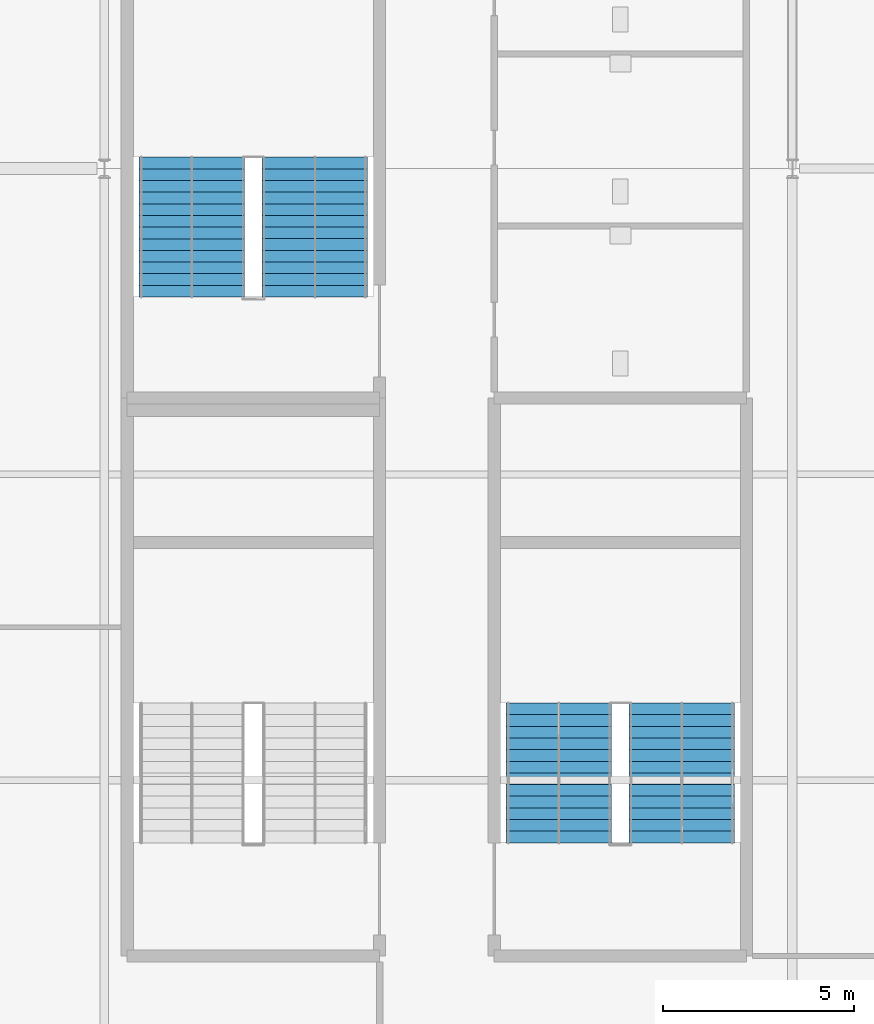
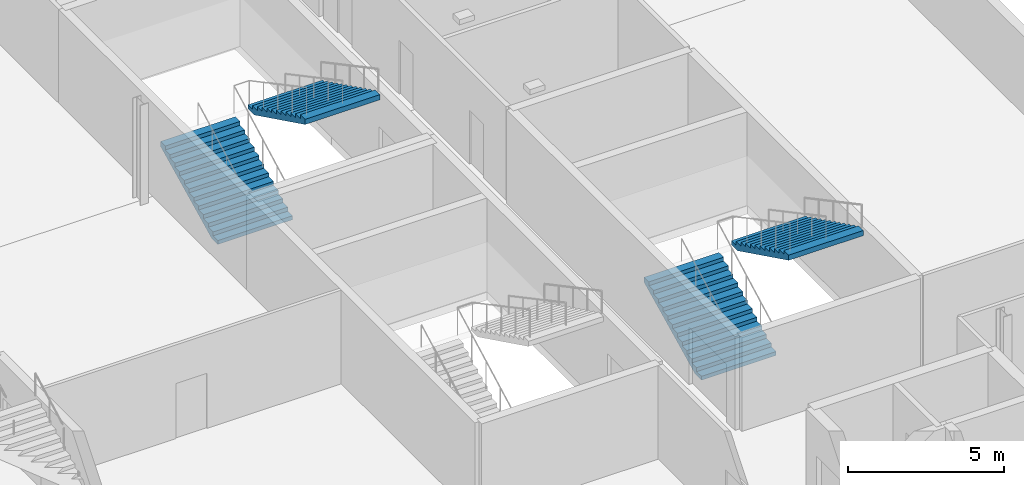
# One storey, part 85 of 96: 4 stair flights, 2 elements without a shape of their own.
"""IFC4 building model written with IfcOpenShell, lengths in metres."""

from ifc_helpers import new_model, si_unit, direction, frame, origin, place, context, subcontext, project, spatial, polygons, material, type_object, element, aggregate, save


model = new_model("IFC4")

# Units and contexts
model_context = context("Model", 3, precision=1e-05, world=origin(), true_north=direction((0.0, 1.0)))
body_context = subcontext(model_context, "Body", "Model", "MODEL_VIEW")
ifc_project = project(units=[si_unit("LENGTHUNIT", "METRE"), si_unit("AREAUNIT", "SQUARE_METRE"), si_unit("VOLUMEUNIT", "CUBIC_METRE"), si_unit("PLANEANGLEUNIT", "RADIAN"), si_unit("MASSUNIT", "GRAM", prefix="KILO")], contexts=[model_context])

# Site, building, storey
site_placement = place(None, origin())
site = spatial("IfcSite", under=ifc_project, at=site_placement, CompositionType="ELEMENT")
building_placement = place(site_placement, origin())
building = spatial("IfcBuilding", under=site, at=building_placement, Name="Kisiwana Market Hall", CompositionType="ELEMENT")
storey_placement = place(building_placement, frame((0.0, 0.0, 25.5)))
storey = spatial("IfcBuildingStorey", under=building, at=storey_placement, Name="L05", CompositionType="ELEMENT", Elevation=25.5)

# Stair, stair flights
ifc_material_1 = material(Name="Concrete C32/40", Category="concrete")
stair_type = type_object("IfcStairType", Name="ST-ESC-3900", PredefinedType="TWO_STRAIGHT_RUN_STAIR", material=ifc_material_1)
stair_1_placement = place(storey_placement, origin())
stair_1 = element("IfcStair", 1, at=stair_1_placement, inside=storey, type_object=stair_type, Name="Escape stair ST-E3-L05", PredefinedType="TWO_STRAIGHT_RUN_STAIR")
ifc_material_2 = material(Name="Concrete C32/40", Category="concrete")
stair_flight_type = type_object("IfcStairFlightType", Name="SF-ESC-3900", PredefinedType="STRAIGHT", material=ifc_material_2)
stair_flight_1_placement = place(storey_placement, frame((182.889892578125, 42.360107421875, 0.0), z_axis=(0.0, 0.0, 1.0), x_axis=(0.0, 1.0, 0.0)))
stair_flight_1 = element("IfcStairFlight", 2, at=stair_flight_1_placement, type_object=stair_flight_type, Name="ST-E3-L05 flight 1", NumberOfRisers=13, NumberOfTreads=12, PredefinedType="STRAIGHT", RiserHeight=0.15, TreadLength=0.305, context=body_context, shape_type="Tessellation", body=[
    polygons([(0.0, -1.380127, 0.0), (0.0, -0.690125, 0.0), (0.0, -0.000122, 0.0), (0.0, 0.68988, 0.0), (0.0, 1.379883, 0.0), (0.0, -1.380127, 0.149902), (0.0, -0.690125, 0.149902), (0.0, -0.000122, 0.149902), (0.0, 0.68988, 0.149902), (0.0, 1.379883, 0.149902), (0.304932, -1.380127, 0.149902), (0.304932, -0.690125, 0.149902), (0.304932, -0.000122, 0.149902), (0.304932, 0.68988, 0.149902), (0.304932, 1.379883, 0.149902), (0.304932, -1.380127, 0.300049), (0.304932, -0.690125, 0.300049), (0.304932, -0.000122, 0.300049), (0.304932, 0.68988, 0.300049), (0.304932, 1.379883, 0.300049), (0.610107, -1.380127, 0.300049), (0.610107, -0.690125, 0.300049), (0.610107, -0.000122, 0.300049), (0.610107, 0.68988, 0.300049), (0.610107, 1.379883, 0.300049), (0.610107, -1.380127, 0.449951), (0.610107, -0.690125, 0.449951), (0.610107, -0.000122, 0.449951), (0.610107, 0.68988, 0.449951), (0.610107, 1.379883, 0.449951), (0.915039, -1.380127, 0.449951), (0.915039, -0.690125, 0.449951), (0.915039, -0.000122, 0.449951), (0.915039, 0.68988, 0.449951), (0.915039, 1.379883, 0.449951), (0.915039, -1.380127, 0.600098), (0.915039, -0.690125, 0.600098), (0.915039, -0.000122, 0.600098), (0.915039, 0.68988, 0.600098), (0.915039, 1.379883, 0.600098), (1.219971, -1.380127, 0.600098), (1.219971, -0.690125, 0.600098), (1.219971, -0.000122, 0.600098), (1.219971, 0.68988, 0.600098), (1.219971, 1.379883, 0.600098), (1.219971, -1.380127, 0.75), (1.219971, -0.690125, 0.75), (1.219971, -0.000122, 0.75), (1.219971, 0.68988, 0.75), (1.219971, 1.379883, 0.75), (1.524902, -1.380127, 0.75), (1.524902, -0.690125, 0.75), (1.524902, -0.000122, 0.75), (1.524902, 0.68988, 0.75), (1.524902, 1.379883, 0.75), (1.524902, -1.380127, 0.899902), (1.524902, -0.690125, 0.899902), (1.524902, -0.000122, 0.899902), (1.524902, 0.68988, 0.899902), (1.524902, 1.379883, 0.899902), (1.830078, -1.380127, 0.899902), (1.830078, -0.690125, 0.899902), (1.830078, -0.000122, 0.899902), (1.830078, 0.68988, 0.899902), (1.830078, 1.379883, 0.899902), (1.830078, -1.380127, 1.050049), (1.830078, -0.690125, 1.050049), (1.830078, -0.000122, 1.050049), (1.830078, 0.68988, 1.050049), (1.830078, 1.379883, 1.050049), (2.13501, -1.380127, 1.050049), (2.13501, -0.690125, 1.050049), (2.13501, -0.000122, 1.050049), (2.13501, 0.68988, 1.050049), (2.13501, 1.379883, 1.050049), (2.13501, -1.380127, 1.199951), (2.13501, -0.690125, 1.199951), (2.13501, -0.000122, 1.199951), (2.13501, 0.68988, 1.199951), (2.13501, 1.379883, 1.199951), (2.439941, -1.380127, 1.199951), (2.439941, -0.690125, 1.199951), (2.439941, -0.000122, 1.199951), (2.439941, 0.68988, 1.199951), (2.439941, 1.379883, 1.199951), (2.439941, -1.380127, 1.350098), (2.439941, -0.690125, 1.350098), (2.439941, -0.000122, 1.350098), (2.439941, 0.68988, 1.350098), (2.439941, 1.379883, 1.350098), (2.745117, -1.380127, 1.350098), (2.745117, -0.690125, 1.350098), (2.745117, -0.000122, 1.350098), (2.745117, 0.68988, 1.350098), (2.745117, 1.379883, 1.350098), (2.745117, -1.380127, 1.5), (2.745117, -0.690125, 1.5), (2.745117, -0.000122, 1.5), (2.745117, 0.68988, 1.5), (2.745117, 1.379883, 1.5), (3.050049, -1.380127, 1.5), (3.050049, -0.690125, 1.5), (3.050049, -0.000122, 1.5), (3.050049, 0.68988, 1.5), (3.050049, 1.379883, 1.5), (3.050049, -1.380127, 1.649902), (3.050049, -0.690125, 1.649902), (3.050049, -0.000122, 1.649902), (3.050049, 0.68988, 1.649902), (3.050049, 1.379883, 1.649902), (3.35498, -1.380127, 1.649902), (3.35498, -0.690125, 1.649902), (3.35498, -0.000122, 1.649902), (3.35498, 0.68988, 1.649902), (3.35498, 1.379883, 1.649902), (3.35498, -1.380127, 1.800049), (3.35498, -0.690125, 1.800049), (3.35498, -0.000122, 1.800049), (3.35498, 0.68988, 1.800049), (3.35498, 1.379883, 1.800049), (3.659912, -1.380127, 1.800049), (3.659912, -0.690125, 1.800049), (3.659912, -0.000122, 1.800049), (3.659912, 0.68988, 1.800049), (3.659912, 1.379883, 1.800049), (3.659912, -1.380127, 1.599365), (3.659912, -0.690125, 1.599365), (3.659912, -0.000122, 1.599365), (3.659912, 0.68988, 1.599365), (3.659912, 1.379883, 1.599365), (0.407715, -1.380127, 0.0), (0.407715, -0.690125, 0.0), (0.407715, -0.000122, 0.0), (0.407715, 0.68988, 0.0), (0.407715, 1.379883, 0.0)], [[[1, 6, 7, 2]], [[2, 7, 8, 3]], [[3, 8, 9, 4]], [[4, 9, 10, 5]], [[6, 11, 12, 7]], [[7, 12, 13, 8]], [[8, 13, 14, 9]], [[9, 14, 15, 10]], [[11, 16, 17, 12]], [[12, 17, 18, 13]], [[13, 18, 19, 14]], [[14, 19, 20, 15]], [[16, 21, 22, 17]], [[17, 22, 23, 18]], [[18, 23, 24, 19]], [[19, 24, 25, 20]], [[21, 26, 27, 22]], [[22, 27, 28, 23]], [[23, 28, 29, 24]], [[24, 29, 30, 25]], [[26, 31, 32, 27]], [[27, 32, 33, 28]], [[28, 33, 34, 29]], [[29, 34, 35, 30]], [[31, 36, 37, 32]], [[32, 37, 38, 33]], [[33, 38, 39, 34]], [[34, 39, 40, 35]], [[36, 41, 42, 37]], [[37, 42, 43, 38]], [[38, 43, 44, 39]], [[39, 44, 45, 40]], [[41, 46, 47, 42]], [[42, 47, 48, 43]], [[43, 48, 49, 44]], [[44, 49, 50, 45]], [[46, 51, 52, 47]], [[47, 52, 53, 48]], [[48, 53, 54, 49]], [[49, 54, 55, 50]], [[51, 56, 57, 52]], [[52, 57, 58, 53]], [[53, 58, 59, 54]], [[54, 59, 60, 55]], [[56, 61, 62, 57]], [[57, 62, 63, 58]], [[58, 63, 64, 59]], [[59, 64, 65, 60]], [[61, 66, 67, 62]], [[62, 67, 68, 63]], [[63, 68, 69, 64]], [[64, 69, 70, 65]], [[66, 71, 72, 67]], [[67, 72, 73, 68]], [[68, 73, 74, 69]], [[69, 74, 75, 70]], [[71, 76, 77, 72]], [[72, 77, 78, 73]], [[73, 78, 79, 74]], [[74, 79, 80, 75]], [[76, 81, 82, 77]], [[77, 82, 83, 78]], [[78, 83, 84, 79]], [[79, 84, 85, 80]], [[81, 86, 87, 82]], [[82, 87, 88, 83]], [[83, 88, 89, 84]], [[84, 89, 90, 85]], [[86, 91, 92, 87]], [[87, 92, 93, 88]], [[88, 93, 94, 89]], [[89, 94, 95, 90]], [[91, 96, 97, 92]], [[92, 97, 98, 93]], [[93, 98, 99, 94]], [[94, 99, 100, 95]], [[96, 101, 102, 97]], [[97, 102, 103, 98]], [[98, 103, 104, 99]], [[99, 104, 105, 100]], [[101, 106, 107, 102]], [[102, 107, 108, 103]], [[103, 108, 109, 104]], [[104, 109, 110, 105]], [[106, 111, 112, 107]], [[107, 112, 113, 108]], [[108, 113, 114, 109]], [[109, 114, 115, 110]], [[111, 116, 117, 112]], [[112, 117, 118, 113]], [[113, 118, 119, 114]], [[114, 119, 120, 115]], [[116, 121, 122, 117]], [[117, 122, 123, 118]], [[118, 123, 124, 119]], [[119, 124, 125, 120]], [[121, 126, 127, 122]], [[122, 127, 128, 123]], [[123, 128, 129, 124]], [[124, 129, 130, 125]], [[126, 131, 132, 127]], [[127, 132, 133, 128]], [[128, 133, 134, 129]], [[129, 134, 135, 130]], [[131, 1, 2, 132]], [[132, 2, 3, 133]], [[133, 3, 4, 134]], [[134, 4, 5, 135]], [[131, 126, 121, 116, 111, 106, 101, 96, 91, 86, 81, 76, 71, 66, 61, 56, 51, 46, 41, 36, 31, 26, 21, 16, 11, 6, 1]], [[5, 10, 15, 20, 25, 30, 35, 40, 45, 50, 55, 60, 65, 70, 75, 80, 85, 90, 95, 100, 105, 110, 115, 120, 125, 130, 135]]], closed=True),
])
stair_flight_2_placement = place(storey_placement, frame((186.110107421875, 46.02001953125, 1.949951171875), z_axis=(0.0, 0.0, 1.0), x_axis=(0.0, -1.0, 0.0)))
stair_flight_2 = element("IfcStairFlight", 3, at=stair_flight_2_placement, type_object=stair_flight_type, Name="ST-E3-L05 flight 2", NumberOfRisers=13, NumberOfTreads=12, PredefinedType="STRAIGHT", RiserHeight=0.15, TreadLength=0.305, context=body_context, shape_type="Tessellation", body=[
    polygons([(0.0, -1.380127, 0.0), (0.0, -0.690125, 0.0), (0.0, -0.000122, 0.0), (0.0, 0.68988, 0.0), (0.0, 1.379883, 0.0), (0.0, -1.380127, 0.149902), (0.0, -0.690125, 0.149902), (0.0, -0.000122, 0.149902), (0.0, 0.68988, 0.149902), (0.0, 1.379883, 0.149902), (0.304932, -1.380127, 0.149902), (0.304932, -0.690125, 0.149902), (0.304932, -0.000122, 0.149902), (0.304932, 0.68988, 0.149902), (0.304932, 1.379883, 0.149902), (0.304932, -1.380127, 0.300049), (0.304932, -0.690125, 0.300049), (0.304932, -0.000122, 0.300049), (0.304932, 0.68988, 0.300049), (0.304932, 1.379883, 0.300049), (0.610107, -1.380127, 0.300049), (0.610107, -0.690125, 0.300049), (0.610107, -0.000122, 0.300049), (0.610107, 0.68988, 0.300049), (0.610107, 1.379883, 0.300049), (0.610107, -1.380127, 0.449951), (0.610107, -0.690125, 0.449951), (0.610107, -0.000122, 0.449951), (0.610107, 0.68988, 0.449951), (0.610107, 1.379883, 0.449951), (0.915039, -1.380127, 0.449951), (0.915039, -0.690125, 0.449951), (0.915039, -0.000122, 0.449951), (0.915039, 0.68988, 0.449951), (0.915039, 1.379883, 0.449951), (0.915039, -1.380127, 0.600098), (0.915039, -0.690125, 0.600098), (0.915039, -0.000122, 0.600098), (0.915039, 0.68988, 0.600098), (0.915039, 1.379883, 0.600098), (1.219971, -1.380127, 0.600098), (1.219971, -0.690125, 0.600098), (1.219971, -0.000122, 0.600098), (1.219971, 0.68988, 0.600098), (1.219971, 1.379883, 0.600098), (1.219971, -1.380127, 0.75), (1.219971, -0.690125, 0.75), (1.219971, -0.000122, 0.75), (1.219971, 0.68988, 0.75), (1.219971, 1.379883, 0.75), (1.524902, -1.380127, 0.75), (1.524902, -0.690125, 0.75), (1.524902, -0.000122, 0.75), (1.524902, 0.68988, 0.75), (1.524902, 1.379883, 0.75), (1.524902, -1.380127, 0.899902), (1.524902, -0.690125, 0.899902), (1.524902, -0.000122, 0.899902), (1.524902, 0.68988, 0.899902), (1.524902, 1.379883, 0.899902), (1.830078, -1.380127, 0.899902), (1.830078, -0.690125, 0.899902), (1.830078, -0.000122, 0.899902), (1.830078, 0.68988, 0.899902), (1.830078, 1.379883, 0.899902), (1.830078, -1.380127, 1.050049), (1.830078, -0.690125, 1.050049), (1.830078, -0.000122, 1.050049), (1.830078, 0.68988, 1.050049), (1.830078, 1.379883, 1.050049), (2.13501, -1.380127, 1.050049), (2.13501, -0.690125, 1.050049), (2.13501, -0.000122, 1.050049), (2.13501, 0.68988, 1.050049), (2.13501, 1.379883, 1.050049), (2.13501, -1.380127, 1.199951), (2.13501, -0.690125, 1.199951), (2.13501, -0.000122, 1.199951), (2.13501, 0.68988, 1.199951), (2.13501, 1.379883, 1.199951), (2.439941, -1.380127, 1.199951), (2.439941, -0.690125, 1.199951), (2.439941, -0.000122, 1.199951), (2.439941, 0.68988, 1.199951), (2.439941, 1.379883, 1.199951), (2.439941, -1.380127, 1.350098), (2.439941, -0.690125, 1.350098), (2.439941, -0.000122, 1.350098), (2.439941, 0.68988, 1.350098), (2.439941, 1.379883, 1.350098), (2.745117, -1.380127, 1.350098), (2.745117, -0.690125, 1.350098), (2.745117, -0.000122, 1.350098), (2.745117, 0.68988, 1.350098), (2.745117, 1.379883, 1.350098), (2.745117, -1.380127, 1.5), (2.745117, -0.690125, 1.5), (2.745117, -0.000122, 1.5), (2.745117, 0.68988, 1.5), (2.745117, 1.379883, 1.5), (3.050049, -1.380127, 1.5), (3.050049, -0.690125, 1.5), (3.050049, -0.000122, 1.5), (3.050049, 0.68988, 1.5), (3.050049, 1.379883, 1.5), (3.050049, -1.380127, 1.649902), (3.050049, -0.690125, 1.649902), (3.050049, -0.000122, 1.649902), (3.050049, 0.68988, 1.649902), (3.050049, 1.379883, 1.649902), (3.35498, -1.380127, 1.649902), (3.35498, -0.690125, 1.649902), (3.35498, -0.000122, 1.649902), (3.35498, 0.68988, 1.649902), (3.35498, 1.379883, 1.649902), (3.35498, -1.380127, 1.800049), (3.35498, -0.690125, 1.800049), (3.35498, -0.000122, 1.800049), (3.35498, 0.68988, 1.800049), (3.35498, 1.379883, 1.800049), (3.659912, -1.380127, 1.800049), (3.659912, -0.690125, 1.800049), (3.659912, -0.000122, 1.800049), (3.659912, 0.68988, 1.800049), (3.659912, 1.379883, 1.800049), (3.659912, -1.380127, 1.599365), (3.659912, -0.690125, 1.599365), (3.659912, -0.000122, 1.599365), (3.659912, 0.68988, 1.599365), (3.659912, 1.379883, 1.599365), (0.407715, -1.380127, 0.0), (0.407715, -0.690125, 0.0), (0.407715, -0.000122, 0.0), (0.407715, 0.68988, 0.0), (0.407715, 1.379883, 0.0)], [[[1, 6, 7, 2]], [[2, 7, 8, 3]], [[3, 8, 9, 4]], [[4, 9, 10, 5]], [[6, 11, 12, 7]], [[7, 12, 13, 8]], [[8, 13, 14, 9]], [[9, 14, 15, 10]], [[11, 16, 17, 12]], [[12, 17, 18, 13]], [[13, 18, 19, 14]], [[14, 19, 20, 15]], [[16, 21, 22, 17]], [[17, 22, 23, 18]], [[18, 23, 24, 19]], [[19, 24, 25, 20]], [[21, 26, 27, 22]], [[22, 27, 28, 23]], [[23, 28, 29, 24]], [[24, 29, 30, 25]], [[26, 31, 32, 27]], [[27, 32, 33, 28]], [[28, 33, 34, 29]], [[29, 34, 35, 30]], [[31, 36, 37, 32]], [[32, 37, 38, 33]], [[33, 38, 39, 34]], [[34, 39, 40, 35]], [[36, 41, 42, 37]], [[37, 42, 43, 38]], [[38, 43, 44, 39]], [[39, 44, 45, 40]], [[41, 46, 47, 42]], [[42, 47, 48, 43]], [[43, 48, 49, 44]], [[44, 49, 50, 45]], [[46, 51, 52, 47]], [[47, 52, 53, 48]], [[48, 53, 54, 49]], [[49, 54, 55, 50]], [[51, 56, 57, 52]], [[52, 57, 58, 53]], [[53, 58, 59, 54]], [[54, 59, 60, 55]], [[56, 61, 62, 57]], [[57, 62, 63, 58]], [[58, 63, 64, 59]], [[59, 64, 65, 60]], [[61, 66, 67, 62]], [[62, 67, 68, 63]], [[63, 68, 69, 64]], [[64, 69, 70, 65]], [[66, 71, 72, 67]], [[67, 72, 73, 68]], [[68, 73, 74, 69]], [[69, 74, 75, 70]], [[71, 76, 77, 72]], [[72, 77, 78, 73]], [[73, 78, 79, 74]], [[74, 79, 80, 75]], [[76, 81, 82, 77]], [[77, 82, 83, 78]], [[78, 83, 84, 79]], [[79, 84, 85, 80]], [[81, 86, 87, 82]], [[82, 87, 88, 83]], [[83, 88, 89, 84]], [[84, 89, 90, 85]], [[86, 91, 92, 87]], [[87, 92, 93, 88]], [[88, 93, 94, 89]], [[89, 94, 95, 90]], [[91, 96, 97, 92]], [[92, 97, 98, 93]], [[93, 98, 99, 94]], [[94, 99, 100, 95]], [[96, 101, 102, 97]], [[97, 102, 103, 98]], [[98, 103, 104, 99]], [[99, 104, 105, 100]], [[101, 106, 107, 102]], [[102, 107, 108, 103]], [[103, 108, 109, 104]], [[104, 109, 110, 105]], [[106, 111, 112, 107]], [[107, 112, 113, 108]], [[108, 113, 114, 109]], [[109, 114, 115, 110]], [[111, 116, 117, 112]], [[112, 117, 118, 113]], [[113, 118, 119, 114]], [[114, 119, 120, 115]], [[116, 121, 122, 117]], [[117, 122, 123, 118]], [[118, 123, 124, 119]], [[119, 124, 125, 120]], [[121, 126, 127, 122]], [[122, 127, 128, 123]], [[123, 128, 129, 124]], [[124, 129, 130, 125]], [[126, 131, 132, 127]], [[127, 132, 133, 128]], [[128, 133, 134, 129]], [[129, 134, 135, 130]], [[131, 1, 2, 132]], [[132, 2, 3, 133]], [[133, 3, 4, 134]], [[134, 4, 5, 135]], [[131, 126, 121, 116, 111, 106, 101, 96, 91, 86, 81, 76, 71, 66, 61, 56, 51, 46, 41, 36, 31, 26, 21, 16, 11, 6, 1]], [[5, 10, 15, 20, 25, 30, 35, 40, 45, 50, 55, 60, 65, 70, 75, 80, 85, 90, 95, 100, 105, 110, 115, 120, 125, 130, 135]]], closed=True),
])
aggregate(stair_1, [stair_flight_1, stair_flight_2])

stair_2_placement = place(storey_placement, origin())
stair_2 = element("IfcStair", 4, at=stair_2_placement, inside=storey, type_object=stair_type, Name="Escape stair ST-E5-L05", PredefinedType="TWO_STRAIGHT_RUN_STAIR")
stair_flight_3_placement = place(storey_placement, frame((173.2900390625, 56.639892578125, 0.0), z_axis=(0.0, 0.0, 1.0), x_axis=(0.0, 1.0, 0.0)))
stair_flight_3 = element("IfcStairFlight", 5, at=stair_flight_3_placement, type_object=stair_flight_type, Name="ST-E5-L05 flight 1", NumberOfRisers=13, NumberOfTreads=12, PredefinedType="STRAIGHT", RiserHeight=0.15, TreadLength=0.305, context=body_context, shape_type="Tessellation", body=[
    polygons([(0.0, -1.380127, 0.0), (0.0, -0.690125, 0.0), (0.0, -0.000122, 0.0), (0.0, 0.68988, 0.0), (0.0, 1.379883, 0.0), (0.0, -1.380127, 0.149902), (0.0, -0.690125, 0.149902), (0.0, -0.000122, 0.149902), (0.0, 0.68988, 0.149902), (0.0, 1.379883, 0.149902), (0.304932, -1.380127, 0.149902), (0.304932, -0.690125, 0.149902), (0.304932, -0.000122, 0.149902), (0.304932, 0.68988, 0.149902), (0.304932, 1.379883, 0.149902), (0.304932, -1.380127, 0.300049), (0.304932, -0.690125, 0.300049), (0.304932, -0.000122, 0.300049), (0.304932, 0.68988, 0.300049), (0.304932, 1.379883, 0.300049), (0.610107, -1.380127, 0.300049), (0.610107, -0.690125, 0.300049), (0.610107, -0.000122, 0.300049), (0.610107, 0.68988, 0.300049), (0.610107, 1.379883, 0.300049), (0.610107, -1.380127, 0.449951), (0.610107, -0.690125, 0.449951), (0.610107, -0.000122, 0.449951), (0.610107, 0.68988, 0.449951), (0.610107, 1.379883, 0.449951), (0.915039, -1.380127, 0.449951), (0.915039, -0.690125, 0.449951), (0.915039, -0.000122, 0.449951), (0.915039, 0.68988, 0.449951), (0.915039, 1.379883, 0.449951), (0.915039, -1.380127, 0.600098), (0.915039, -0.690125, 0.600098), (0.915039, -0.000122, 0.600098), (0.915039, 0.68988, 0.600098), (0.915039, 1.379883, 0.600098), (1.219971, -1.380127, 0.600098), (1.219971, -0.690125, 0.600098), (1.219971, -0.000122, 0.600098), (1.219971, 0.68988, 0.600098), (1.219971, 1.379883, 0.600098), (1.219971, -1.380127, 0.75), (1.219971, -0.690125, 0.75), (1.219971, -0.000122, 0.75), (1.219971, 0.68988, 0.75), (1.219971, 1.379883, 0.75), (1.524902, -1.380127, 0.75), (1.524902, -0.690125, 0.75), (1.524902, -0.000122, 0.75), (1.524902, 0.68988, 0.75), (1.524902, 1.379883, 0.75), (1.524902, -1.380127, 0.899902), (1.524902, -0.690125, 0.899902), (1.524902, -0.000122, 0.899902), (1.524902, 0.68988, 0.899902), (1.524902, 1.379883, 0.899902), (1.830078, -1.380127, 0.899902), (1.830078, -0.690125, 0.899902), (1.830078, -0.000122, 0.899902), (1.830078, 0.68988, 0.899902), (1.830078, 1.379883, 0.899902), (1.830078, -1.380127, 1.050049), (1.830078, -0.690125, 1.050049), (1.830078, -0.000122, 1.050049), (1.830078, 0.68988, 1.050049), (1.830078, 1.379883, 1.050049), (2.13501, -1.380127, 1.050049), (2.13501, -0.690125, 1.050049), (2.13501, -0.000122, 1.050049), (2.13501, 0.68988, 1.050049), (2.13501, 1.379883, 1.050049), (2.13501, -1.380127, 1.199951), (2.13501, -0.690125, 1.199951), (2.13501, -0.000122, 1.199951), (2.13501, 0.68988, 1.199951), (2.13501, 1.379883, 1.199951), (2.439941, -1.380127, 1.199951), (2.439941, -0.690125, 1.199951), (2.439941, -0.000122, 1.199951), (2.439941, 0.68988, 1.199951), (2.439941, 1.379883, 1.199951), (2.439941, -1.380127, 1.350098), (2.439941, -0.690125, 1.350098), (2.439941, -0.000122, 1.350098), (2.439941, 0.68988, 1.350098), (2.439941, 1.379883, 1.350098), (2.745117, -1.380127, 1.350098), (2.745117, -0.690125, 1.350098), (2.745117, -0.000122, 1.350098), (2.745117, 0.68988, 1.350098), (2.745117, 1.379883, 1.350098), (2.745117, -1.380127, 1.5), (2.745117, -0.690125, 1.5), (2.745117, -0.000122, 1.5), (2.745117, 0.68988, 1.5), (2.745117, 1.379883, 1.5), (3.050049, -1.380127, 1.5), (3.050049, -0.690125, 1.5), (3.050049, -0.000122, 1.5), (3.050049, 0.68988, 1.5), (3.050049, 1.379883, 1.5), (3.050049, -1.380127, 1.649902), (3.050049, -0.690125, 1.649902), (3.050049, -0.000122, 1.649902), (3.050049, 0.68988, 1.649902), (3.050049, 1.379883, 1.649902), (3.35498, -1.380127, 1.649902), (3.35498, -0.690125, 1.649902), (3.35498, -0.000122, 1.649902), (3.35498, 0.68988, 1.649902), (3.35498, 1.379883, 1.649902), (3.35498, -1.380127, 1.800049), (3.35498, -0.690125, 1.800049), (3.35498, -0.000122, 1.800049), (3.35498, 0.68988, 1.800049), (3.35498, 1.379883, 1.800049), (3.659912, -1.380127, 1.800049), (3.659912, -0.690125, 1.800049), (3.659912, -0.000122, 1.800049), (3.659912, 0.68988, 1.800049), (3.659912, 1.379883, 1.800049), (3.659912, -1.380127, 1.599365), (3.659912, -0.690125, 1.599365), (3.659912, -0.000122, 1.599365), (3.659912, 0.68988, 1.599365), (3.659912, 1.379883, 1.599365), (0.407715, -1.380127, 0.0), (0.407715, -0.690125, 0.0), (0.407715, -0.000122, 0.0), (0.407715, 0.68988, 0.0), (0.407715, 1.379883, 0.0)], [[[1, 6, 7, 2]], [[2, 7, 8, 3]], [[3, 8, 9, 4]], [[4, 9, 10, 5]], [[6, 11, 12, 7]], [[7, 12, 13, 8]], [[8, 13, 14, 9]], [[9, 14, 15, 10]], [[11, 16, 17, 12]], [[12, 17, 18, 13]], [[13, 18, 19, 14]], [[14, 19, 20, 15]], [[16, 21, 22, 17]], [[17, 22, 23, 18]], [[18, 23, 24, 19]], [[19, 24, 25, 20]], [[21, 26, 27, 22]], [[22, 27, 28, 23]], [[23, 28, 29, 24]], [[24, 29, 30, 25]], [[26, 31, 32, 27]], [[27, 32, 33, 28]], [[28, 33, 34, 29]], [[29, 34, 35, 30]], [[31, 36, 37, 32]], [[32, 37, 38, 33]], [[33, 38, 39, 34]], [[34, 39, 40, 35]], [[36, 41, 42, 37]], [[37, 42, 43, 38]], [[38, 43, 44, 39]], [[39, 44, 45, 40]], [[41, 46, 47, 42]], [[42, 47, 48, 43]], [[43, 48, 49, 44]], [[44, 49, 50, 45]], [[46, 51, 52, 47]], [[47, 52, 53, 48]], [[48, 53, 54, 49]], [[49, 54, 55, 50]], [[51, 56, 57, 52]], [[52, 57, 58, 53]], [[53, 58, 59, 54]], [[54, 59, 60, 55]], [[56, 61, 62, 57]], [[57, 62, 63, 58]], [[58, 63, 64, 59]], [[59, 64, 65, 60]], [[61, 66, 67, 62]], [[62, 67, 68, 63]], [[63, 68, 69, 64]], [[64, 69, 70, 65]], [[66, 71, 72, 67]], [[67, 72, 73, 68]], [[68, 73, 74, 69]], [[69, 74, 75, 70]], [[71, 76, 77, 72]], [[72, 77, 78, 73]], [[73, 78, 79, 74]], [[74, 79, 80, 75]], [[76, 81, 82, 77]], [[77, 82, 83, 78]], [[78, 83, 84, 79]], [[79, 84, 85, 80]], [[81, 86, 87, 82]], [[82, 87, 88, 83]], [[83, 88, 89, 84]], [[84, 89, 90, 85]], [[86, 91, 92, 87]], [[87, 92, 93, 88]], [[88, 93, 94, 89]], [[89, 94, 95, 90]], [[91, 96, 97, 92]], [[92, 97, 98, 93]], [[93, 98, 99, 94]], [[94, 99, 100, 95]], [[96, 101, 102, 97]], [[97, 102, 103, 98]], [[98, 103, 104, 99]], [[99, 104, 105, 100]], [[101, 106, 107, 102]], [[102, 107, 108, 103]], [[103, 108, 109, 104]], [[104, 109, 110, 105]], [[106, 111, 112, 107]], [[107, 112, 113, 108]], [[108, 113, 114, 109]], [[109, 114, 115, 110]], [[111, 116, 117, 112]], [[112, 117, 118, 113]], [[113, 118, 119, 114]], [[114, 119, 120, 115]], [[116, 121, 122, 117]], [[117, 122, 123, 118]], [[118, 123, 124, 119]], [[119, 124, 125, 120]], [[121, 126, 127, 122]], [[122, 127, 128, 123]], [[123, 128, 129, 124]], [[124, 129, 130, 125]], [[126, 131, 132, 127]], [[127, 132, 133, 128]], [[128, 133, 134, 129]], [[129, 134, 135, 130]], [[131, 1, 2, 132]], [[132, 2, 3, 133]], [[133, 3, 4, 134]], [[134, 4, 5, 135]], [[131, 126, 121, 116, 111, 106, 101, 96, 91, 86, 81, 76, 71, 66, 61, 56, 51, 46, 41, 36, 31, 26, 21, 16, 11, 6, 1]], [[5, 10, 15, 20, 25, 30, 35, 40, 45, 50, 55, 60, 65, 70, 75, 80, 85, 90, 95, 100, 105, 110, 115, 120, 125, 130, 135]]], closed=True),
])
stair_flight_4_placement = place(storey_placement, frame((176.510009765625, 60.300048828125, 1.949951171875), z_axis=(0.0, 0.0, 1.0), x_axis=(0.0, -1.0, 0.0)))
stair_flight_4 = element("IfcStairFlight", 6, at=stair_flight_4_placement, type_object=stair_flight_type, Name="ST-E5-L05 flight 2", NumberOfRisers=13, NumberOfTreads=12, PredefinedType="STRAIGHT", RiserHeight=0.15, TreadLength=0.305, context=body_context, shape_type="Tessellation", body=[
    polygons([(0.0, -1.380127, 0.0), (0.0, -0.690125, 0.0), (0.0, -0.000122, 0.0), (0.0, 0.68988, 0.0), (0.0, 1.379883, 0.0), (0.0, -1.380127, 0.149902), (0.0, -0.690125, 0.149902), (0.0, -0.000122, 0.149902), (0.0, 0.68988, 0.149902), (0.0, 1.379883, 0.149902), (0.304932, -1.380127, 0.149902), (0.304932, -0.690125, 0.149902), (0.304932, -0.000122, 0.149902), (0.304932, 0.68988, 0.149902), (0.304932, 1.379883, 0.149902), (0.304932, -1.380127, 0.300049), (0.304932, -0.690125, 0.300049), (0.304932, -0.000122, 0.300049), (0.304932, 0.68988, 0.300049), (0.304932, 1.379883, 0.300049), (0.610107, -1.380127, 0.300049), (0.610107, -0.690125, 0.300049), (0.610107, -0.000122, 0.300049), (0.610107, 0.68988, 0.300049), (0.610107, 1.379883, 0.300049), (0.610107, -1.380127, 0.449951), (0.610107, -0.690125, 0.449951), (0.610107, -0.000122, 0.449951), (0.610107, 0.68988, 0.449951), (0.610107, 1.379883, 0.449951), (0.915039, -1.380127, 0.449951), (0.915039, -0.690125, 0.449951), (0.915039, -0.000122, 0.449951), (0.915039, 0.68988, 0.449951), (0.915039, 1.379883, 0.449951), (0.915039, -1.380127, 0.600098), (0.915039, -0.690125, 0.600098), (0.915039, -0.000122, 0.600098), (0.915039, 0.68988, 0.600098), (0.915039, 1.379883, 0.600098), (1.219971, -1.380127, 0.600098), (1.219971, -0.690125, 0.600098), (1.219971, -0.000122, 0.600098), (1.219971, 0.68988, 0.600098), (1.219971, 1.379883, 0.600098), (1.219971, -1.380127, 0.75), (1.219971, -0.690125, 0.75), (1.219971, -0.000122, 0.75), (1.219971, 0.68988, 0.75), (1.219971, 1.379883, 0.75), (1.524902, -1.380127, 0.75), (1.524902, -0.690125, 0.75), (1.524902, -0.000122, 0.75), (1.524902, 0.68988, 0.75), (1.524902, 1.379883, 0.75), (1.524902, -1.380127, 0.899902), (1.524902, -0.690125, 0.899902), (1.524902, -0.000122, 0.899902), (1.524902, 0.68988, 0.899902), (1.524902, 1.379883, 0.899902), (1.830078, -1.380127, 0.899902), (1.830078, -0.690125, 0.899902), (1.830078, -0.000122, 0.899902), (1.830078, 0.68988, 0.899902), (1.830078, 1.379883, 0.899902), (1.830078, -1.380127, 1.050049), (1.830078, -0.690125, 1.050049), (1.830078, -0.000122, 1.050049), (1.830078, 0.68988, 1.050049), (1.830078, 1.379883, 1.050049), (2.13501, -1.380127, 1.050049), (2.13501, -0.690125, 1.050049), (2.13501, -0.000122, 1.050049), (2.13501, 0.68988, 1.050049), (2.13501, 1.379883, 1.050049), (2.13501, -1.380127, 1.199951), (2.13501, -0.690125, 1.199951), (2.13501, -0.000122, 1.199951), (2.13501, 0.68988, 1.199951), (2.13501, 1.379883, 1.199951), (2.439941, -1.380127, 1.199951), (2.439941, -0.690125, 1.199951), (2.439941, -0.000122, 1.199951), (2.439941, 0.68988, 1.199951), (2.439941, 1.379883, 1.199951), (2.439941, -1.380127, 1.350098), (2.439941, -0.690125, 1.350098), (2.439941, -0.000122, 1.350098), (2.439941, 0.68988, 1.350098), (2.439941, 1.379883, 1.350098), (2.745117, -1.380127, 1.350098), (2.745117, -0.690125, 1.350098), (2.745117, -0.000122, 1.350098), (2.745117, 0.68988, 1.350098), (2.745117, 1.379883, 1.350098), (2.745117, -1.380127, 1.5), (2.745117, -0.690125, 1.5), (2.745117, -0.000122, 1.5), (2.745117, 0.68988, 1.5), (2.745117, 1.379883, 1.5), (3.050049, -1.380127, 1.5), (3.050049, -0.690125, 1.5), (3.050049, -0.000122, 1.5), (3.050049, 0.68988, 1.5), (3.050049, 1.379883, 1.5), (3.050049, -1.380127, 1.649902), (3.050049, -0.690125, 1.649902), (3.050049, -0.000122, 1.649902), (3.050049, 0.68988, 1.649902), (3.050049, 1.379883, 1.649902), (3.35498, -1.380127, 1.649902), (3.35498, -0.690125, 1.649902), (3.35498, -0.000122, 1.649902), (3.35498, 0.68988, 1.649902), (3.35498, 1.379883, 1.649902), (3.35498, -1.380127, 1.800049), (3.35498, -0.690125, 1.800049), (3.35498, -0.000122, 1.800049), (3.35498, 0.68988, 1.800049), (3.35498, 1.379883, 1.800049), (3.659912, -1.380127, 1.800049), (3.659912, -0.690125, 1.800049), (3.659912, -0.000122, 1.800049), (3.659912, 0.68988, 1.800049), (3.659912, 1.379883, 1.800049), (3.659912, -1.380127, 1.599365), (3.659912, -0.690125, 1.599365), (3.659912, -0.000122, 1.599365), (3.659912, 0.68988, 1.599365), (3.659912, 1.379883, 1.599365), (0.407715, -1.380127, 0.0), (0.407715, -0.690125, 0.0), (0.407715, -0.000122, 0.0), (0.407715, 0.68988, 0.0), (0.407715, 1.379883, 0.0)], [[[1, 6, 7, 2]], [[2, 7, 8, 3]], [[3, 8, 9, 4]], [[4, 9, 10, 5]], [[6, 11, 12, 7]], [[7, 12, 13, 8]], [[8, 13, 14, 9]], [[9, 14, 15, 10]], [[11, 16, 17, 12]], [[12, 17, 18, 13]], [[13, 18, 19, 14]], [[14, 19, 20, 15]], [[16, 21, 22, 17]], [[17, 22, 23, 18]], [[18, 23, 24, 19]], [[19, 24, 25, 20]], [[21, 26, 27, 22]], [[22, 27, 28, 23]], [[23, 28, 29, 24]], [[24, 29, 30, 25]], [[26, 31, 32, 27]], [[27, 32, 33, 28]], [[28, 33, 34, 29]], [[29, 34, 35, 30]], [[31, 36, 37, 32]], [[32, 37, 38, 33]], [[33, 38, 39, 34]], [[34, 39, 40, 35]], [[36, 41, 42, 37]], [[37, 42, 43, 38]], [[38, 43, 44, 39]], [[39, 44, 45, 40]], [[41, 46, 47, 42]], [[42, 47, 48, 43]], [[43, 48, 49, 44]], [[44, 49, 50, 45]], [[46, 51, 52, 47]], [[47, 52, 53, 48]], [[48, 53, 54, 49]], [[49, 54, 55, 50]], [[51, 56, 57, 52]], [[52, 57, 58, 53]], [[53, 58, 59, 54]], [[54, 59, 60, 55]], [[56, 61, 62, 57]], [[57, 62, 63, 58]], [[58, 63, 64, 59]], [[59, 64, 65, 60]], [[61, 66, 67, 62]], [[62, 67, 68, 63]], [[63, 68, 69, 64]], [[64, 69, 70, 65]], [[66, 71, 72, 67]], [[67, 72, 73, 68]], [[68, 73, 74, 69]], [[69, 74, 75, 70]], [[71, 76, 77, 72]], [[72, 77, 78, 73]], [[73, 78, 79, 74]], [[74, 79, 80, 75]], [[76, 81, 82, 77]], [[77, 82, 83, 78]], [[78, 83, 84, 79]], [[79, 84, 85, 80]], [[81, 86, 87, 82]], [[82, 87, 88, 83]], [[83, 88, 89, 84]], [[84, 89, 90, 85]], [[86, 91, 92, 87]], [[87, 92, 93, 88]], [[88, 93, 94, 89]], [[89, 94, 95, 90]], [[91, 96, 97, 92]], [[92, 97, 98, 93]], [[93, 98, 99, 94]], [[94, 99, 100, 95]], [[96, 101, 102, 97]], [[97, 102, 103, 98]], [[98, 103, 104, 99]], [[99, 104, 105, 100]], [[101, 106, 107, 102]], [[102, 107, 108, 103]], [[103, 108, 109, 104]], [[104, 109, 110, 105]], [[106, 111, 112, 107]], [[107, 112, 113, 108]], [[108, 113, 114, 109]], [[109, 114, 115, 110]], [[111, 116, 117, 112]], [[112, 117, 118, 113]], [[113, 118, 119, 114]], [[114, 119, 120, 115]], [[116, 121, 122, 117]], [[117, 122, 123, 118]], [[118, 123, 124, 119]], [[119, 124, 125, 120]], [[121, 126, 127, 122]], [[122, 127, 128, 123]], [[123, 128, 129, 124]], [[124, 129, 130, 125]], [[126, 131, 132, 127]], [[127, 132, 133, 128]], [[128, 133, 134, 129]], [[129, 134, 135, 130]], [[131, 1, 2, 132]], [[132, 2, 3, 133]], [[133, 3, 4, 134]], [[134, 4, 5, 135]], [[131, 126, 121, 116, 111, 106, 101, 96, 91, 86, 81, 76, 71, 66, 61, 56, 51, 46, 41, 36, 31, 26, 21, 16, 11, 6, 1]], [[5, 10, 15, 20, 25, 30, 35, 40, 45, 50, 55, 60, 65, 70, 75, 80, 85, 90, 95, 100, 105, 110, 115, 120, 125, 130, 135]]], closed=True),
])
aggregate(stair_2, [stair_flight_3, stair_flight_4])

save(model, "model.ifc")
